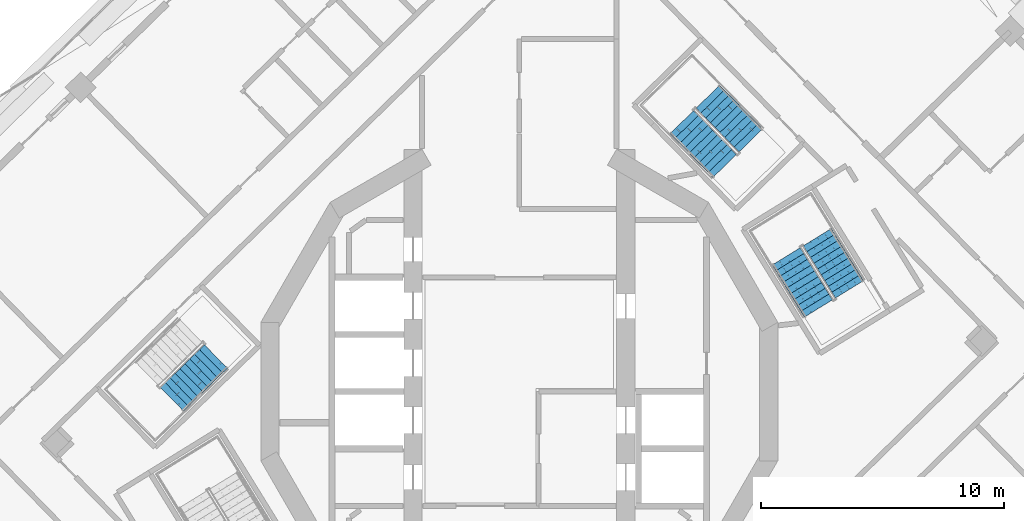
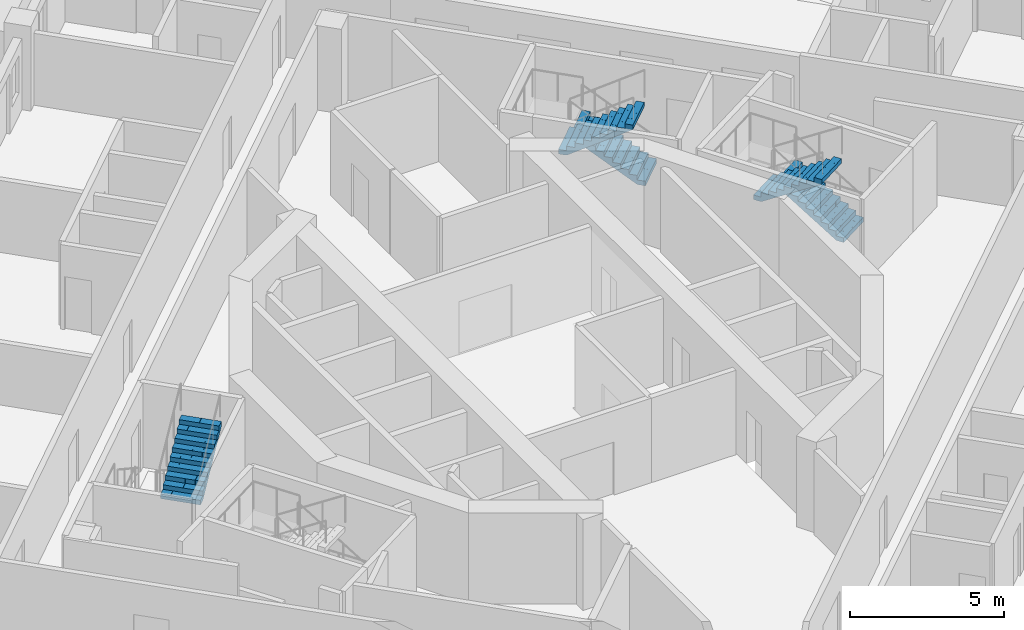
# One storey, part 10 of 17: 5 stair flights, 3 elements without a shape of their own.
"""IFC4 building model written with IfcOpenShell, lengths in metres."""

from ifc_helpers import new_model, si_unit, direction, frame, origin, place, context, subcontext, project, spatial, polyline, outline, extrude, material, type_object, element, aggregate, save


model = new_model("IFC4")

# Units and contexts
model_context = context("Model", 3, precision=1e-05, world=origin(), true_north=direction((0.0, 1.0)))
body_context = subcontext(model_context, "Body", "Model", "MODEL_VIEW")
ifc_project = project(units=[si_unit("LENGTHUNIT", "METRE"), si_unit("AREAUNIT", "SQUARE_METRE"), si_unit("VOLUMEUNIT", "CUBIC_METRE"), si_unit("PLANEANGLEUNIT", "RADIAN"), si_unit("MASSUNIT", "GRAM", prefix="KILO")], contexts=[model_context])

# Site, building, storey
site_placement = place(None, origin())
site = spatial("IfcSite", under=ifc_project, at=site_placement, CompositionType="ELEMENT")
building_placement = place(site_placement, origin())
building = spatial("IfcBuilding", under=site, at=building_placement, Name="Cantera Rosa Tower", CompositionType="ELEMENT")
storey_placement = place(building_placement, frame((0.0, 0.0, 205.39990234375)))
storey = spatial("IfcBuildingStorey", under=building, at=storey_placement, Name="L43", CompositionType="ELEMENT", Elevation=205.39990234375)

# Stair, stair flights
ifc_material_1 = material(Name="Concrete C35/45", Category="concrete")
stair_type = type_object("IfcStairType", Name="EXIT STAIR 1350 DOGLEG", PredefinedType="HALF_TURN_STAIR", material=ifc_material_1)
stair_1_placement = place(storey_placement, origin())
stair_1 = element("IfcStair", 1, at=stair_1_placement, inside=storey, type_object=stair_type, Name="L43 ST-41", PredefinedType="HALF_TURN_STAIR")
ifc_material_2 = material(Name="Concrete C35/45", Category="concrete")
stair_flight_type = type_object("IfcStairFlightType", Name="STAIR FLIGHT 1350 R20x180", PredefinedType="STRAIGHT", material=ifc_material_2)
stair_flight_1_placement = place(storey_placement, frame((13.5732421875, 4.2021484375, 0.0), z_axis=(0.0, 0.0, 1.0), x_axis=(-0.524976585286, 0.851116669383, 0.0)))
stair_flight_1 = element("IfcStairFlight", 2, at=stair_flight_1_placement, type_object=stair_flight_type, Name="ST-41 flight 1", NumberOfRisers=10, NumberOfTreads=9, PredefinedType="STRAIGHT", RiserHeight=0.18, TreadLength=0.28, context=body_context, shape_type="SweptSolid", body=[
    extrude(outline(polyline([(0.0, 0.0), (0.0, 0.179931640625), (0.280029296875, 0.179931640625), (0.280029296875, 0.360107421875), (0.56005859375, 0.360107421875), (0.56005859375, 0.5400390625), (0.840087890625, 0.5400390625), (0.840087890625, 0.719970703125), (1.1201171875, 0.719970703125), (1.1201171875, 0.89990234375), (1.39990234375, 0.89990234375), (1.39990234375, 1.080078125), (1.679931640625, 1.080078125), (1.679931640625, 1.260009765625), (1.9599609375, 1.260009765625), (1.9599609375, 1.43994140625), (2.239990234375, 1.43994140625), (2.239990234375, 1.6201171875), (2.52001953125, 1.6201171875), (2.52001953125, 1.800048828125), (2.52001953125, 1.44189453125), (0.277099609375, 0.0), (0.0, 0.0)])), frame((0.0, 0.675048828125, 0.0), z_axis=(0.0, -1.0, 0.0), x_axis=(1.0, 0.0, 0.0)), (0.0, 0.0, 1.0), 0.3359375),
    extrude(outline(polyline([(0.0, 0.0), (0.0, 0.179931640625), (0.280029296875, 0.179931640625), (0.280029296875, 0.360107421875), (0.56005859375, 0.360107421875), (0.56005859375, 0.5400390625), (0.840087890625, 0.5400390625), (0.840087890625, 0.719970703125), (1.1201171875, 0.719970703125), (1.1201171875, 0.89990234375), (1.39990234375, 0.89990234375), (1.39990234375, 1.080078125), (1.679931640625, 1.080078125), (1.679931640625, 1.260009765625), (1.9599609375, 1.260009765625), (1.9599609375, 1.43994140625), (2.239990234375, 1.43994140625), (2.239990234375, 1.6201171875), (2.52001953125, 1.6201171875), (2.52001953125, 1.800048828125), (2.52001953125, 1.44189453125), (0.277099609375, 0.0), (0.0, 0.0)])), frame((0.0, 0.337158203125, 0.0), z_axis=(0.0, -1.0, 0.0), x_axis=(1.0, 0.0, 0.0)), (0.0, 0.0, 1.0), 0.3359375),
    extrude(outline(polyline([(0.0, 0.0), (0.0, 0.179931640625), (0.280029296875, 0.179931640625), (0.280029296875, 0.360107421875), (0.56005859375, 0.360107421875), (0.56005859375, 0.5400390625), (0.840087890625, 0.5400390625), (0.840087890625, 0.719970703125), (1.1201171875, 0.719970703125), (1.1201171875, 0.89990234375), (1.39990234375, 0.89990234375), (1.39990234375, 1.080078125), (1.679931640625, 1.080078125), (1.679931640625, 1.260009765625), (1.9599609375, 1.260009765625), (1.9599609375, 1.43994140625), (2.239990234375, 1.43994140625), (2.239990234375, 1.6201171875), (2.52001953125, 1.6201171875), (2.52001953125, 1.800048828125), (2.52001953125, 1.44189453125), (0.277099609375, 0.0), (0.0, 0.0)])), frame((0.0, -0.000732421875, 0.0), z_axis=(0.0, -1.0, 0.0), x_axis=(1.0, 0.0, 0.0)), (0.0, 0.0, 1.0), 0.3359375),
    extrude(outline(polyline([(0.0, 0.0), (0.0, 0.179931640625), (0.280029296875, 0.179931640625), (0.280029296875, 0.360107421875), (0.56005859375, 0.360107421875), (0.56005859375, 0.5400390625), (0.840087890625, 0.5400390625), (0.840087890625, 0.719970703125), (1.1201171875, 0.719970703125), (1.1201171875, 0.89990234375), (1.39990234375, 0.89990234375), (1.39990234375, 1.080078125), (1.679931640625, 1.080078125), (1.679931640625, 1.260009765625), (1.9599609375, 1.260009765625), (1.9599609375, 1.43994140625), (2.239990234375, 1.43994140625), (2.239990234375, 1.6201171875), (2.52001953125, 1.6201171875), (2.52001953125, 1.800048828125), (2.52001953125, 1.44189453125), (0.277099609375, 0.0), (0.0, 0.0)])), frame((0.0, -0.338623046875, 0.0), z_axis=(0.0, -1.0, 0.0), x_axis=(1.0, 0.0, 0.0)), (0.0, 0.0, 1.0), 0.3359375),
])
stair_flight_2_placement = place(storey_placement, frame((10.9736328125, 5.5595703125, 1.800048828125), z_axis=(0.0, 0.0, 1.0), x_axis=(0.524976585286, -0.851116669383, 0.0)))
stair_flight_2 = element("IfcStairFlight", 3, at=stair_flight_2_placement, type_object=stair_flight_type, Name="ST-41 flight 2", NumberOfRisers=10, NumberOfTreads=9, PredefinedType="STRAIGHT", RiserHeight=0.18, TreadLength=0.28, context=body_context, shape_type="SweptSolid", body=[
    extrude(outline(polyline([(0.0, 0.0), (0.0, 0.179931640625), (0.280029296875, 0.179931640625), (0.280029296875, 0.360107421875), (0.56005859375, 0.360107421875), (0.56005859375, 0.5400390625), (0.840087890625, 0.5400390625), (0.840087890625, 0.719970703125), (1.1201171875, 0.719970703125), (1.1201171875, 0.89990234375), (1.39990234375, 0.89990234375), (1.39990234375, 1.080078125), (1.679931640625, 1.080078125), (1.679931640625, 1.260009765625), (1.9599609375, 1.260009765625), (1.9599609375, 1.43994140625), (2.239990234375, 1.43994140625), (2.239990234375, 1.6201171875), (2.52001953125, 1.6201171875), (2.52001953125, 1.800048828125), (2.52001953125, 1.44189453125), (0.277099609375, 0.0), (0.0, 0.0)])), frame((0.0, 0.675048828125, 0.0), z_axis=(0.0, -1.0, 0.0), x_axis=(1.0, 0.0, 0.0)), (0.0, 0.0, 1.0), 0.3359375),
    extrude(outline(polyline([(0.0, 0.0), (0.0, 0.179931640625), (0.280029296875, 0.179931640625), (0.280029296875, 0.360107421875), (0.56005859375, 0.360107421875), (0.56005859375, 0.5400390625), (0.840087890625, 0.5400390625), (0.840087890625, 0.719970703125), (1.1201171875, 0.719970703125), (1.1201171875, 0.89990234375), (1.39990234375, 0.89990234375), (1.39990234375, 1.080078125), (1.679931640625, 1.080078125), (1.679931640625, 1.260009765625), (1.9599609375, 1.260009765625), (1.9599609375, 1.43994140625), (2.239990234375, 1.43994140625), (2.239990234375, 1.6201171875), (2.52001953125, 1.6201171875), (2.52001953125, 1.800048828125), (2.52001953125, 1.44189453125), (0.277099609375, 0.0), (0.0, 0.0)])), frame((0.0, 0.337158203125, 0.0), z_axis=(0.0, -1.0, 0.0), x_axis=(1.0, 0.0, 0.0)), (0.0, 0.0, 1.0), 0.3359375),
    extrude(outline(polyline([(0.0, 0.0), (0.0, 0.179931640625), (0.280029296875, 0.179931640625), (0.280029296875, 0.360107421875), (0.56005859375, 0.360107421875), (0.56005859375, 0.5400390625), (0.840087890625, 0.5400390625), (0.840087890625, 0.719970703125), (1.1201171875, 0.719970703125), (1.1201171875, 0.89990234375), (1.39990234375, 0.89990234375), (1.39990234375, 1.080078125), (1.679931640625, 1.080078125), (1.679931640625, 1.260009765625), (1.9599609375, 1.260009765625), (1.9599609375, 1.43994140625), (2.239990234375, 1.43994140625), (2.239990234375, 1.6201171875), (2.52001953125, 1.6201171875), (2.52001953125, 1.800048828125), (2.52001953125, 1.44189453125), (0.277099609375, 0.0), (0.0, 0.0)])), frame((0.0, -0.000732421875, 0.0), z_axis=(0.0, -1.0, 0.0), x_axis=(1.0, 0.0, 0.0)), (0.0, 0.0, 1.0), 0.3359375),
    extrude(outline(polyline([(0.0, 0.0), (0.0, 0.179931640625), (0.280029296875, 0.179931640625), (0.280029296875, 0.360107421875), (0.56005859375, 0.360107421875), (0.56005859375, 0.5400390625), (0.840087890625, 0.5400390625), (0.840087890625, 0.719970703125), (1.1201171875, 0.719970703125), (1.1201171875, 0.89990234375), (1.39990234375, 0.89990234375), (1.39990234375, 1.080078125), (1.679931640625, 1.080078125), (1.679931640625, 1.260009765625), (1.9599609375, 1.260009765625), (1.9599609375, 1.43994140625), (2.239990234375, 1.43994140625), (2.239990234375, 1.6201171875), (2.52001953125, 1.6201171875), (2.52001953125, 1.800048828125), (2.52001953125, 1.44189453125), (0.277099609375, 0.0), (0.0, 0.0)])), frame((0.0, -0.338623046875, 0.0), z_axis=(0.0, -1.0, 0.0), x_axis=(1.0, 0.0, 0.0)), (0.0, 0.0, 1.0), 0.3359375),
])
aggregate(stair_1, [stair_flight_1, stair_flight_2])

stair_2_placement = place(storey_placement, origin())
stair_2 = element("IfcStair", 4, at=stair_2_placement, inside=storey, type_object=stair_type, Name="L43 ST-42", PredefinedType="HALF_TURN_STAIR")
stair_flight_3_placement = place(storey_placement, frame((9.514892578125, 10.32275390625, 0.0), z_axis=(0.0, 0.0, 1.0), x_axis=(-0.698831536207, 0.715286295132, 0.0)))
stair_flight_3 = element("IfcStairFlight", 5, at=stair_flight_3_placement, type_object=stair_flight_type, Name="ST-42 flight 1", NumberOfRisers=10, NumberOfTreads=9, PredefinedType="STRAIGHT", RiserHeight=0.18, TreadLength=0.28, context=body_context, shape_type="SweptSolid", body=[
    extrude(outline(polyline([(0.0, 0.0), (0.0, 0.179931640625), (0.280029296875, 0.179931640625), (0.280029296875, 0.360107421875), (0.56005859375, 0.360107421875), (0.56005859375, 0.5400390625), (0.840087890625, 0.5400390625), (0.840087890625, 0.719970703125), (1.1201171875, 0.719970703125), (1.1201171875, 0.89990234375), (1.39990234375, 0.89990234375), (1.39990234375, 1.080078125), (1.679931640625, 1.080078125), (1.679931640625, 1.260009765625), (1.9599609375, 1.260009765625), (1.9599609375, 1.43994140625), (2.239990234375, 1.43994140625), (2.239990234375, 1.6201171875), (2.52001953125, 1.6201171875), (2.52001953125, 1.800048828125), (2.52001953125, 1.44189453125), (0.277099609375, 0.0), (0.0, 0.0)])), frame((0.0, 0.675048828125, 0.0), z_axis=(0.0, -1.0, 0.0), x_axis=(1.0, 0.0, 0.0)), (0.0, 0.0, 1.0), 0.3359375),
    extrude(outline(polyline([(0.0, 0.0), (0.0, 0.179931640625), (0.280029296875, 0.179931640625), (0.280029296875, 0.360107421875), (0.56005859375, 0.360107421875), (0.56005859375, 0.5400390625), (0.840087890625, 0.5400390625), (0.840087890625, 0.719970703125), (1.1201171875, 0.719970703125), (1.1201171875, 0.89990234375), (1.39990234375, 0.89990234375), (1.39990234375, 1.080078125), (1.679931640625, 1.080078125), (1.679931640625, 1.260009765625), (1.9599609375, 1.260009765625), (1.9599609375, 1.43994140625), (2.239990234375, 1.43994140625), (2.239990234375, 1.6201171875), (2.52001953125, 1.6201171875), (2.52001953125, 1.800048828125), (2.52001953125, 1.44189453125), (0.277099609375, 0.0), (0.0, 0.0)])), frame((0.0, 0.337158203125, 0.0), z_axis=(0.0, -1.0, 0.0), x_axis=(1.0, 0.0, 0.0)), (0.0, 0.0, 1.0), 0.3359375),
    extrude(outline(polyline([(0.0, 0.0), (0.0, 0.179931640625), (0.280029296875, 0.179931640625), (0.280029296875, 0.360107421875), (0.56005859375, 0.360107421875), (0.56005859375, 0.5400390625), (0.840087890625, 0.5400390625), (0.840087890625, 0.719970703125), (1.1201171875, 0.719970703125), (1.1201171875, 0.89990234375), (1.39990234375, 0.89990234375), (1.39990234375, 1.080078125), (1.679931640625, 1.080078125), (1.679931640625, 1.260009765625), (1.9599609375, 1.260009765625), (1.9599609375, 1.43994140625), (2.239990234375, 1.43994140625), (2.239990234375, 1.6201171875), (2.52001953125, 1.6201171875), (2.52001953125, 1.800048828125), (2.52001953125, 1.44189453125), (0.277099609375, 0.0), (0.0, 0.0)])), frame((0.0, -0.000732421875, 0.0), z_axis=(0.0, -1.0, 0.0), x_axis=(1.0, 0.0, 0.0)), (0.0, 0.0, 1.0), 0.3359375),
    extrude(outline(polyline([(0.0, 0.0), (0.0, 0.179931640625), (0.280029296875, 0.179931640625), (0.280029296875, 0.360107421875), (0.56005859375, 0.360107421875), (0.56005859375, 0.5400390625), (0.840087890625, 0.5400390625), (0.840087890625, 0.719970703125), (1.1201171875, 0.719970703125), (1.1201171875, 0.89990234375), (1.39990234375, 0.89990234375), (1.39990234375, 1.080078125), (1.679931640625, 1.080078125), (1.679931640625, 1.260009765625), (1.9599609375, 1.260009765625), (1.9599609375, 1.43994140625), (2.239990234375, 1.43994140625), (2.239990234375, 1.6201171875), (2.52001953125, 1.6201171875), (2.52001953125, 1.800048828125), (2.52001953125, 1.44189453125), (0.277099609375, 0.0), (0.0, 0.0)])), frame((0.0, -0.338623046875, 0.0), z_axis=(0.0, -1.0, 0.0), x_axis=(1.0, 0.0, 0.0)), (0.0, 0.0, 1.0), 0.3359375),
])
stair_flight_4_placement = place(storey_placement, frame((6.680908203125, 11.076904296875, 1.800048828125), z_axis=(0.0, 0.0, 1.0), x_axis=(0.698831536207, -0.715286295132, 0.0)))
stair_flight_4 = element("IfcStairFlight", 6, at=stair_flight_4_placement, type_object=stair_flight_type, Name="ST-42 flight 2", NumberOfRisers=10, NumberOfTreads=9, PredefinedType="STRAIGHT", RiserHeight=0.18, TreadLength=0.28, context=body_context, shape_type="SweptSolid", body=[
    extrude(outline(polyline([(0.0, 0.0), (0.0, 0.179931640625), (0.280029296875, 0.179931640625), (0.280029296875, 0.360107421875), (0.56005859375, 0.360107421875), (0.56005859375, 0.5400390625), (0.840087890625, 0.5400390625), (0.840087890625, 0.719970703125), (1.1201171875, 0.719970703125), (1.1201171875, 0.89990234375), (1.39990234375, 0.89990234375), (1.39990234375, 1.080078125), (1.679931640625, 1.080078125), (1.679931640625, 1.260009765625), (1.9599609375, 1.260009765625), (1.9599609375, 1.43994140625), (2.239990234375, 1.43994140625), (2.239990234375, 1.6201171875), (2.52001953125, 1.6201171875), (2.52001953125, 1.800048828125), (2.52001953125, 1.44189453125), (0.277099609375, 0.0), (0.0, 0.0)])), frame((0.0, 0.675048828125, 0.0), z_axis=(0.0, -1.0, 0.0), x_axis=(1.0, 0.0, 0.0)), (0.0, 0.0, 1.0), 0.3359375),
    extrude(outline(polyline([(0.0, 0.0), (0.0, 0.179931640625), (0.280029296875, 0.179931640625), (0.280029296875, 0.360107421875), (0.56005859375, 0.360107421875), (0.56005859375, 0.5400390625), (0.840087890625, 0.5400390625), (0.840087890625, 0.719970703125), (1.1201171875, 0.719970703125), (1.1201171875, 0.89990234375), (1.39990234375, 0.89990234375), (1.39990234375, 1.080078125), (1.679931640625, 1.080078125), (1.679931640625, 1.260009765625), (1.9599609375, 1.260009765625), (1.9599609375, 1.43994140625), (2.239990234375, 1.43994140625), (2.239990234375, 1.6201171875), (2.52001953125, 1.6201171875), (2.52001953125, 1.800048828125), (2.52001953125, 1.44189453125), (0.277099609375, 0.0), (0.0, 0.0)])), frame((0.0, 0.337158203125, 0.0), z_axis=(0.0, -1.0, 0.0), x_axis=(1.0, 0.0, 0.0)), (0.0, 0.0, 1.0), 0.3359375),
    extrude(outline(polyline([(0.0, 0.0), (0.0, 0.179931640625), (0.280029296875, 0.179931640625), (0.280029296875, 0.360107421875), (0.56005859375, 0.360107421875), (0.56005859375, 0.5400390625), (0.840087890625, 0.5400390625), (0.840087890625, 0.719970703125), (1.1201171875, 0.719970703125), (1.1201171875, 0.89990234375), (1.39990234375, 0.89990234375), (1.39990234375, 1.080078125), (1.679931640625, 1.080078125), (1.679931640625, 1.260009765625), (1.9599609375, 1.260009765625), (1.9599609375, 1.43994140625), (2.239990234375, 1.43994140625), (2.239990234375, 1.6201171875), (2.52001953125, 1.6201171875), (2.52001953125, 1.800048828125), (2.52001953125, 1.44189453125), (0.277099609375, 0.0), (0.0, 0.0)])), frame((0.0, -0.000732421875, 0.0), z_axis=(0.0, -1.0, 0.0), x_axis=(1.0, 0.0, 0.0)), (0.0, 0.0, 1.0), 0.3359375),
    extrude(outline(polyline([(0.0, 0.0), (0.0, 0.179931640625), (0.280029296875, 0.179931640625), (0.280029296875, 0.360107421875), (0.56005859375, 0.360107421875), (0.56005859375, 0.5400390625), (0.840087890625, 0.5400390625), (0.840087890625, 0.719970703125), (1.1201171875, 0.719970703125), (1.1201171875, 0.89990234375), (1.39990234375, 0.89990234375), (1.39990234375, 1.080078125), (1.679931640625, 1.080078125), (1.679931640625, 1.260009765625), (1.9599609375, 1.260009765625), (1.9599609375, 1.43994140625), (2.239990234375, 1.43994140625), (2.239990234375, 1.6201171875), (2.52001953125, 1.6201171875), (2.52001953125, 1.800048828125), (2.52001953125, 1.44189453125), (0.277099609375, 0.0), (0.0, 0.0)])), frame((0.0, -0.338623046875, 0.0), z_axis=(0.0, -1.0, 0.0), x_axis=(1.0, 0.0, 0.0)), (0.0, 0.0, 1.0), 0.3359375),
])
aggregate(stair_2, [stair_flight_3, stair_flight_4])

# Stair, stair flight
stair_3_placement = place(storey_placement, origin())
stair_3 = element("IfcStair", 7, at=stair_3_placement, inside=storey, type_object=stair_type, Name="L43 ST-43", PredefinedType="HALF_TURN_STAIR")
stair_flight_5_placement = place(storey_placement, frame((-14.277099609375, -0.319091796875, 1.800048828125), z_axis=(0.0, 0.0, 1.0), x_axis=(0.715286295132, 0.698831536207, 0.0)))
stair_flight_5 = element("IfcStairFlight", 8, at=stair_flight_5_placement, type_object=stair_flight_type, Name="ST-43 flight 2", NumberOfRisers=10, NumberOfTreads=9, PredefinedType="STRAIGHT", RiserHeight=0.18, TreadLength=0.28, context=body_context, shape_type="SweptSolid", body=[
    extrude(outline(polyline([(0.0, 0.0), (0.0, 0.179931640625), (0.280029296875, 0.179931640625), (0.280029296875, 0.360107421875), (0.56005859375, 0.360107421875), (0.56005859375, 0.5400390625), (0.840087890625, 0.5400390625), (0.840087890625, 0.719970703125), (1.1201171875, 0.719970703125), (1.1201171875, 0.89990234375), (1.39990234375, 0.89990234375), (1.39990234375, 1.080078125), (1.679931640625, 1.080078125), (1.679931640625, 1.260009765625), (1.9599609375, 1.260009765625), (1.9599609375, 1.43994140625), (2.239990234375, 1.43994140625), (2.239990234375, 1.6201171875), (2.52001953125, 1.6201171875), (2.52001953125, 1.800048828125), (2.52001953125, 1.44189453125), (0.277099609375, 0.0), (0.0, 0.0)])), frame((0.0, 0.675048828125, 0.0), z_axis=(0.0, -1.0, 0.0), x_axis=(1.0, 0.0, 0.0)), (0.0, 0.0, 1.0), 0.3359375),
    extrude(outline(polyline([(0.0, 0.0), (0.0, 0.179931640625), (0.280029296875, 0.179931640625), (0.280029296875, 0.360107421875), (0.56005859375, 0.360107421875), (0.56005859375, 0.5400390625), (0.840087890625, 0.5400390625), (0.840087890625, 0.719970703125), (1.1201171875, 0.719970703125), (1.1201171875, 0.89990234375), (1.39990234375, 0.89990234375), (1.39990234375, 1.080078125), (1.679931640625, 1.080078125), (1.679931640625, 1.260009765625), (1.9599609375, 1.260009765625), (1.9599609375, 1.43994140625), (2.239990234375, 1.43994140625), (2.239990234375, 1.6201171875), (2.52001953125, 1.6201171875), (2.52001953125, 1.800048828125), (2.52001953125, 1.44189453125), (0.277099609375, 0.0), (0.0, 0.0)])), frame((0.0, 0.337158203125, 0.0), z_axis=(0.0, -1.0, 0.0), x_axis=(1.0, 0.0, 0.0)), (0.0, 0.0, 1.0), 0.3359375),
    extrude(outline(polyline([(0.0, 0.0), (0.0, 0.179931640625), (0.280029296875, 0.179931640625), (0.280029296875, 0.360107421875), (0.56005859375, 0.360107421875), (0.56005859375, 0.5400390625), (0.840087890625, 0.5400390625), (0.840087890625, 0.719970703125), (1.1201171875, 0.719970703125), (1.1201171875, 0.89990234375), (1.39990234375, 0.89990234375), (1.39990234375, 1.080078125), (1.679931640625, 1.080078125), (1.679931640625, 1.260009765625), (1.9599609375, 1.260009765625), (1.9599609375, 1.43994140625), (2.239990234375, 1.43994140625), (2.239990234375, 1.6201171875), (2.52001953125, 1.6201171875), (2.52001953125, 1.800048828125), (2.52001953125, 1.44189453125), (0.277099609375, 0.0), (0.0, 0.0)])), frame((0.0, -0.000732421875, 0.0), z_axis=(0.0, -1.0, 0.0), x_axis=(1.0, 0.0, 0.0)), (0.0, 0.0, 1.0), 0.3359375),
    extrude(outline(polyline([(0.0, 0.0), (0.0, 0.179931640625), (0.280029296875, 0.179931640625), (0.280029296875, 0.360107421875), (0.56005859375, 0.360107421875), (0.56005859375, 0.5400390625), (0.840087890625, 0.5400390625), (0.840087890625, 0.719970703125), (1.1201171875, 0.719970703125), (1.1201171875, 0.89990234375), (1.39990234375, 0.89990234375), (1.39990234375, 1.080078125), (1.679931640625, 1.080078125), (1.679931640625, 1.260009765625), (1.9599609375, 1.260009765625), (1.9599609375, 1.43994140625), (2.239990234375, 1.43994140625), (2.239990234375, 1.6201171875), (2.52001953125, 1.6201171875), (2.52001953125, 1.800048828125), (2.52001953125, 1.44189453125), (0.277099609375, 0.0), (0.0, 0.0)])), frame((0.0, -0.338623046875, 0.0), z_axis=(0.0, -1.0, 0.0), x_axis=(1.0, 0.0, 0.0)), (0.0, 0.0, 1.0), 0.3359375),
])
aggregate(stair_3, [stair_flight_5])

save(model, "model.ifc")
